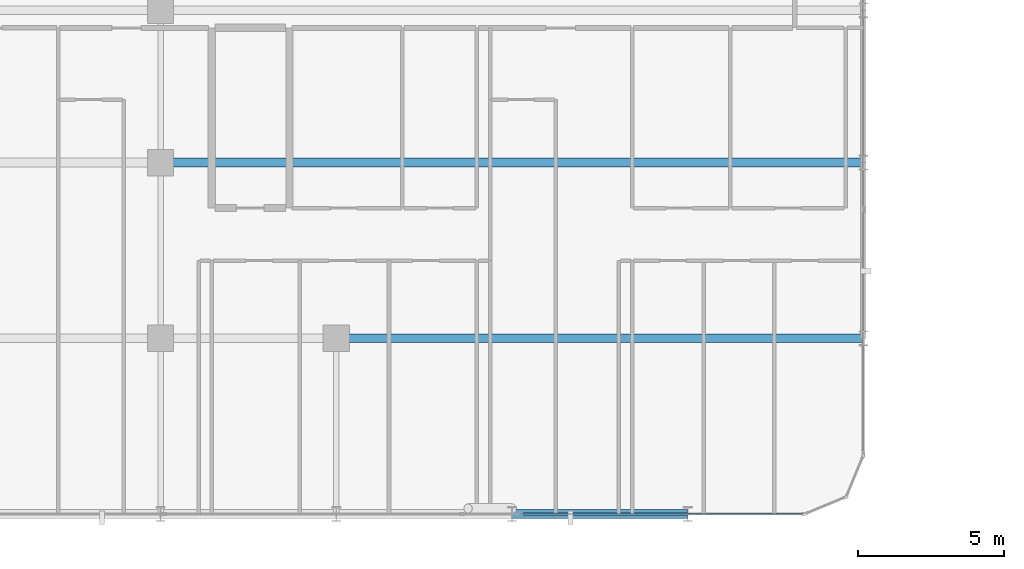
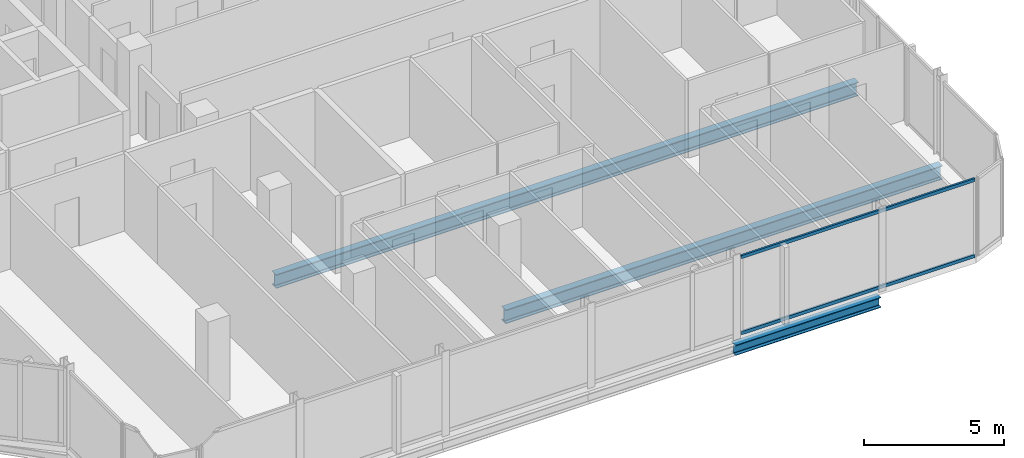
# One storey, part 10 of 31: 3 beams, 2 members, 1 element without a shape of its own.
"""IFC4 building model written with IfcOpenShell, lengths in metres."""

import ifcopenshell
import ifcopenshell.guid

model = None  # the IFC model being written
_history = None  # IfcOwnerHistory: only IFC2X3 demands one
_inside = {}  # id of a spatial element -> (the spatial element, [elements in it])
_under = {}  # id of a project, library or spatial element -> (it, [spatial elements below it])
_declared = {}  # id of a project -> (the project, [libraries it declares])
_typed = {}  # id of a type object -> (the type object, [elements of that type])
_made_of = {}  # id of a material, layer set ... -> (it, [elements and type objects made of it])


def new_model(schema):
    """Start an empty IFC model of exactly this schema.

    Asked for "IFC4X3", IfcOpenShell would pick the latest addendum, in which some entities
    have other attributes; the version numbers below select the first issue.
    IFC2X3 requires an IfcOwnerHistory on every rooted entity: one is made here for all.
    """
    global model, _history
    if schema == "IFC4X3":
        model = ifcopenshell.file(schema_version=(4, 3, 0, 0))
    else:
        model = ifcopenshell.file(schema=schema)
    _inside.clear()
    _under.clear()
    _declared.clear()
    _typed.clear()
    _made_of.clear()
    _history = None
    if model.schema == "IFC2X3":
        org = make("IfcOrganization", Name="unknown")
        user = make(
            "IfcPersonAndOrganization",
            ThePerson=make("IfcPerson", FamilyName="unknown"),
            TheOrganization=org,
        )
        app = make(
            "IfcApplication",
            ApplicationDeveloper=org,
            Version="unknown",
            ApplicationFullName="unknown",
            ApplicationIdentifier="unknown",
        )
        _history = make(
            "IfcOwnerHistory",
            OwningUser=user,
            OwningApplication=app,
            ChangeAction="ADDED",
            CreationDate=0,
        )
    return model


def make(cls, **values):
    """One entity of the class cls with the attributes given. An attribute that is None is left unset."""
    return model.create_entity(
        cls, **{name: value for name, value in values.items() if value is not None}
    )


def rooted(cls, **values):
    """An entity with a GlobalId (a new one), such as an element, a storey or a relation."""
    return make(cls, GlobalId=ifcopenshell.guid.new(), OwnerHistory=_history, **values)


def si_unit(unit_type, name, prefix=None):
    """IfcSIUnit, for example si_unit("LENGTHUNIT", "METRE", prefix="MILLI")."""
    return make("IfcSIUnit", UnitType=unit_type, Prefix=prefix, Name=name)


def assignment(units):
    """IfcUnitAssignment: the units of a project."""
    return None if units is None else make("IfcUnitAssignment", Units=units)


def point(xyz):
    """IfcCartesianPoint."""
    return None if xyz is None else make("IfcCartesianPoint", Coordinates=xyz)


def direction(xyz):
    """IfcDirection."""
    return None if xyz is None else make("IfcDirection", DirectionRatios=xyz)


def frame(location, z_axis=None, x_axis=None):
    """IfcAxis2Placement3D, a coordinate frame: its origin and axes. An axis left out is left unset."""
    return make(
        "IfcAxis2Placement3D",
        Location=point(location),
        Axis=direction(z_axis),
        RefDirection=direction(x_axis),
    )


def frame_2d(location, x_axis=None):
    """IfcAxis2Placement2D, a coordinate frame in the plane: its origin and x axis."""
    return make(
        "IfcAxis2Placement2D", Location=point(location), RefDirection=direction(x_axis)
    )


def origin():
    """The frame at (0, 0, 0) with its axes left unset."""
    return frame((0.0, 0.0, 0.0))


def origin_2d():
    """The frame at (0, 0) in the plane with its x axis left unset."""
    return frame_2d((0.0, 0.0))


def place(relative_to, where):
    """IfcLocalPlacement: puts the frame where relative to a parent placement (None: the world)."""
    return make(
        "IfcLocalPlacement", PlacementRelTo=relative_to, RelativePlacement=where
    )


def context(
    kind, dimensions, precision=None, world=None, true_north=None, identifier=None
):
    """IfcGeometricRepresentationContext, for example the 3D "Model" context."""
    return make(
        "IfcGeometricRepresentationContext",
        ContextIdentifier=identifier,
        ContextType=kind,
        CoordinateSpaceDimension=dimensions,
        Precision=precision,
        WorldCoordinateSystem=world,
        TrueNorth=true_north,
    )


def subcontext(parent, identifier, kind, view, scale=None):
    """IfcGeometricRepresentationSubContext, for example "Body" below "Model"."""
    return make(
        "IfcGeometricRepresentationSubContext",
        ContextIdentifier=identifier,
        ContextType=kind,
        ParentContext=parent,
        TargetScale=scale,
        TargetView=view,
    )


def project(units=None, contexts=None):
    """IfcProject with its units and contexts."""
    return rooted(
        "IfcProject",
        Name="project",
        RepresentationContexts=contexts,
        UnitsInContext=assignment(units),
    )


def spatial(cls, under=None, at=None, **own):
    """A site, building, storey or space (cls), placed at a placement, below another one or the project."""
    s = rooted(cls, ObjectPlacement=at, **own)
    if under is not None:
        _under.setdefault(under.id(), (under, []))[1].append(s)
    return s


def profile(cls, at=None, kind="AREA", **sizes):
    """A parametric profile (cls). Its sizes go by their IFC names, for example OverallWidth=200.0."""
    return make(cls, ProfileType=kind, Position=at, **sizes)


def hollow_rectangle(**sizes):
    """IfcRectangleHollowProfileDef."""
    return profile("IfcRectangleHollowProfileDef", **sizes)


def i_section(**sizes):
    """IfcIShapeProfileDef."""
    return profile("IfcIShapeProfileDef", **sizes)


def extrude(swept, where, along, depth):
    """IfcExtrudedAreaSolid: the profile swept, set in the frame where, extruded along a direction by depth."""
    return make(
        "IfcExtrudedAreaSolid",
        SweptArea=swept,
        Position=where,
        ExtrudedDirection=direction(along),
        Depth=depth,
    )


def shape(context_of_items, identifier, shape_type, items):
    """IfcShapeRepresentation: the items that make up one representation, for example the "Body"."""
    return make(
        "IfcShapeRepresentation",
        ContextOfItems=context_of_items,
        RepresentationIdentifier=identifier,
        RepresentationType=shape_type,
        Items=items,
    )


def material(Name=None, Category=None):
    """IfcMaterial."""
    return make("IfcMaterial", Name=Name, Category=Category)


def layer(
    of_material, thickness, ventilated=None, Name=None, Category=None, Priority=None
):
    """IfcMaterialLayer: one layer of a wall or slab, of a material (None: an air gap)."""
    return make(
        "IfcMaterialLayer",
        Material=of_material,
        LayerThickness=thickness,
        IsVentilated=ventilated,
        Name=Name,
        Category=Category,
        Priority=Priority,
    )


def layer_set(layers, Name=None):
    """IfcMaterialLayerSet."""
    return make("IfcMaterialLayerSet", MaterialLayers=layers, LayerSetName=Name)


def material_profile(
    of_material, cross_section, Name=None, Category=None, Priority=None
):
    """IfcMaterialProfile: a cross section and its material."""
    return make(
        "IfcMaterialProfile",
        Name=Name,
        Material=of_material,
        Profile=cross_section,
        Priority=Priority,
        Category=Category,
    )


def profile_set(profiles, Name=None, composite=None):
    """IfcMaterialProfileSet."""
    return make(
        "IfcMaterialProfileSet",
        Name=Name,
        MaterialProfiles=profiles,
        CompositeProfile=composite,
    )


def made_of(thing, what):
    """Note that an element or type object is made of a material, layer set ...; save() writes the relation."""
    if what is not None:
        _made_of.setdefault(what.id(), (what, []))[1].append(thing)
    return thing


def type_object(cls, material=None, **own):
    """A type object (cls), such as IfcWallType, which elements share."""
    return made_of(rooted(cls, **own), material)


def element(
    cls,
    number,
    at=None,
    inside=None,
    cuts=None,
    type_object=None,
    material=None,
    context=None,
    identifier="Body",
    shape_type=None,
    held_by="IfcProductDefinitionShape",
    body=None,
    shapes=None,
    **own,
):
    """One element of the class cls, such as IfcWall. Its Tag is "e" and its number.

    at: its placement. inside: the storey or other place that contains it. cuts: it is an
    opening in that element (IfcRelVoidsElement). A single representation is given by context,
    identifier, shape_type and body (its items); several are given by shapes. held_by: the class
    of the entity that holds the representations. save() writes the other relations.
    """
    e = rooted(cls, Tag="e%d" % number, ObjectPlacement=at, **own)
    if body is not None:
        shapes = [shape(context, identifier, shape_type, body)]
    if shapes is not None:
        e.Representation = make(held_by, Representations=shapes)
    if inside is not None:
        _inside.setdefault(inside.id(), (inside, []))[1].append(e)
    if cuts is not None:
        rooted(
            "IfcRelVoidsElement", RelatingBuildingElement=cuts, RelatedOpeningElement=e
        )
    if type_object is not None:
        _typed.setdefault(type_object.id(), (type_object, []))[1].append(e)
    return made_of(e, material)


def aggregate(whole, parts):
    """IfcRelAggregates: a whole, such as a stair, and the parts it consists of."""
    return rooted("IfcRelAggregates", RelatingObject=whole, RelatedObjects=parts)


def save(model, path):
    """Write the relations noted so far, then the file.

    IfcRelAggregates (storeys below a building ...), IfcRelContainedInSpatialStructure (elements
    in a storey), IfcRelDefinesByType, IfcRelAssociatesMaterial and IfcRelDeclares: one each for
    every whole, place, type object, material and project.
    """
    for whole, parts in _under.values():
        aggregate(whole, parts)
    for where, things in _inside.values():
        rooted(
            "IfcRelContainedInSpatialStructure",
            RelatedElements=things,
            RelatingStructure=where,
        )
    for kind, things in _typed.values():
        rooted("IfcRelDefinesByType", RelatedObjects=things, RelatingType=kind)
    for what, things in _made_of.values():
        rooted("IfcRelAssociatesMaterial", RelatedObjects=things, RelatingMaterial=what)
    for by, libraries in _declared.values():
        rooted("IfcRelDeclares", RelatingContext=by, RelatedDefinitions=libraries)
    model.write(path)


model = new_model("IFC4")

# Units and contexts
model_context = context("Model", 3, precision=1e-05, world=origin(), true_north=direction((0.0, 1.0)))
body_context = subcontext(model_context, "Body", "Model", "MODEL_VIEW")
ifc_project = project(units=[si_unit("LENGTHUNIT", "METRE"), si_unit("AREAUNIT", "SQUARE_METRE"), si_unit("VOLUMEUNIT", "CUBIC_METRE"), si_unit("PLANEANGLEUNIT", "RADIAN"), si_unit("MASSUNIT", "GRAM", prefix="KILO")], contexts=[model_context])

# Site, building, storey
site_placement = place(None, origin())
site = spatial("IfcSite", under=ifc_project, at=site_placement, CompositionType="ELEMENT")
building_placement = place(site_placement, origin())
building = spatial("IfcBuilding", under=site, at=building_placement, Name="Keshet Zoharim Tower", CompositionType="ELEMENT")
storey_placement = place(building_placement, frame((0.0, 0.0, 140.89990234375)))
storey = spatial("IfcBuildingStorey", under=building, at=storey_placement, Name="L34", CompositionType="ELEMENT", Elevation=140.89990234375)

# Beams
ifc_material_1 = material(Name="Steel S355", Category="steel")
ifc_material_profile_1 = material_profile(ifc_material_1, i_section(OverallWidth=0.300048828125, OverallDepth=0.60009765625, WebThickness=0.015380859375, FlangeThickness=0.030029296875, FilletRadius=0.027099609375, at=origin_2d()), Name="HEB600")
ifc_profile_set_1 = profile_set([ifc_material_profile_1], Name="Steel S355")
beam_type_1 = type_object("IfcBeamType", Name="BM-LNG-HB600", PredefinedType="BEAM", material=ifc_profile_set_1)
beam_1_placement = place(storey_placement, frame((39.0, 6.699951171875, -0.614990234375), z_axis=(1.0, 0.0, 0.0), x_axis=(0.0, 1.0, 0.0)))
element("IfcBeam", 1, at=beam_1_placement, inside=storey, type_object=beam_type_1, Name="L34 Primary Girder X-008", PredefinedType="BEAM", context=body_context, shape_type="SweptSolid", body=[
    extrude(i_section(OverallWidth=0.300048828125, OverallDepth=0.60009765625, WebThickness=0.015380859375, FlangeThickness=0.030029296875, FilletRadius=0.027099609375, at=origin_2d()), origin(), (0.0, 0.0, 1.0), 18.0),
])
beam_2_placement = place(storey_placement, frame((33.0, 12.699951171875, -0.614990234375), z_axis=(1.0, 0.0, 0.0), x_axis=(0.0, 1.0, 0.0)))
element("IfcBeam", 2, at=beam_2_placement, inside=storey, type_object=beam_type_1, Name="L34 Primary Girder X-010", PredefinedType="BEAM", context=body_context, shape_type="SweptSolid", body=[
    extrude(i_section(OverallWidth=0.300048828125, OverallDepth=0.60009765625, WebThickness=0.015380859375, FlangeThickness=0.030029296875, FilletRadius=0.027099609375, at=origin_2d()), origin(), (0.0, 0.0, 1.0), 24.0),
])
ifc_material_profile_2 = material_profile(ifc_material_1, i_section(OverallWidth=0.300048828125, OverallDepth=0.449951171875, WebThickness=0.013916015625, FlangeThickness=0.02587890625, FilletRadius=0.027099609375, at=origin_2d()), Name="HEB450")
ifc_profile_set_2 = profile_set([ifc_material_profile_2], Name="Steel S355")
beam_type_2 = type_object("IfcBeamType", Name="BM-WEB-HB450", PredefinedType="BEAM", material=ifc_profile_set_2)
beam_3_placement = place(storey_placement, frame((45.0, 0.699951171875, -0.539794921875), z_axis=(1.0, 0.0, 0.0), x_axis=(0.0, 1.0, 0.0)))
element("IfcBeam", 3, at=beam_3_placement, inside=storey, type_object=beam_type_2, Name="L34 Primary Girder X-004", PredefinedType="BEAM", context=body_context, shape_type="SweptSolid", body=[
    extrude(i_section(OverallWidth=0.300048828125, OverallDepth=0.449951171875, WebThickness=0.013916015625, FlangeThickness=0.02587890625, FilletRadius=0.027099609375, at=origin_2d()), origin(), (0.0, 0.0, 1.0), 6.0),
])

# Curtain wall, members
ifc_material_2 = material(Name="Aluminium 6063-T6", Category="aluminium")
ifc_layer = layer(ifc_material_2, 0.159912109375)
ifc_layer_set = layer_set([ifc_layer], Name="Aluminium 6063-T6")
curtain_wall_type = type_object("IfcCurtainWallType", Name="CW-SYS-03", PredefinedType="NOTDEFINED", material=ifc_layer_set)
curtain_wall_placement = place(storey_placement, origin())
curtain_wall = element("IfcCurtainWall", 4, at=curtain_wall_placement, inside=storey, type_object=curtain_wall_type, Name="L34 Unitised Curtain Wall 03", PredefinedType="NOTDEFINED")
ifc_material_profile_3 = material_profile(ifc_material_2, hollow_rectangle(XDim=0.080078125, YDim=0.139892578125, WallThickness=0.00390625, at=origin_2d()), Name="TRN-80x140")
ifc_profile_set_3 = profile_set([ifc_material_profile_3], Name="Aluminium 6063-T6")
member_type = type_object("IfcMemberType", Name="CWT-T14", PredefinedType="USERDEFINED", material=ifc_profile_set_3)
member_1_placement = place(storey_placement, frame((54.929931640625, 0.699951171875, 0.03515625), z_axis=(-1.0, 0.0, 0.0), x_axis=(0.0, -1.0, 0.0)))
member_1 = element("IfcMember", 5, at=member_1_placement, type_object=member_type, Name="CW-03 transom 1.1", ObjectType="TRANSOM", PredefinedType="USERDEFINED", context=body_context, shape_type="SweptSolid", body=[
    extrude(hollow_rectangle(XDim=0.080078125, YDim=0.139892578125, WallThickness=0.00390625, at=origin_2d()), origin(), (0.0, 0.0, 1.0), 9.61181640625),
])
member_2_placement = place(storey_placement, frame((54.929931640625, 0.699951171875, 3.35009765625), z_axis=(-1.0, 0.0, 0.0), x_axis=(0.0, -1.0, 0.0)))
member_2 = element("IfcMember", 6, at=member_2_placement, type_object=member_type, Name="CW-03 transom 1.2", ObjectType="TRANSOM", PredefinedType="USERDEFINED", context=body_context, shape_type="SweptSolid", body=[
    extrude(hollow_rectangle(XDim=0.080078125, YDim=0.139892578125, WallThickness=0.00390625, at=origin_2d()), origin(), (0.0, 0.0, 1.0), 9.61181640625),
])
aggregate(curtain_wall, [member_1, member_2])

save(model, "model.ifc")
